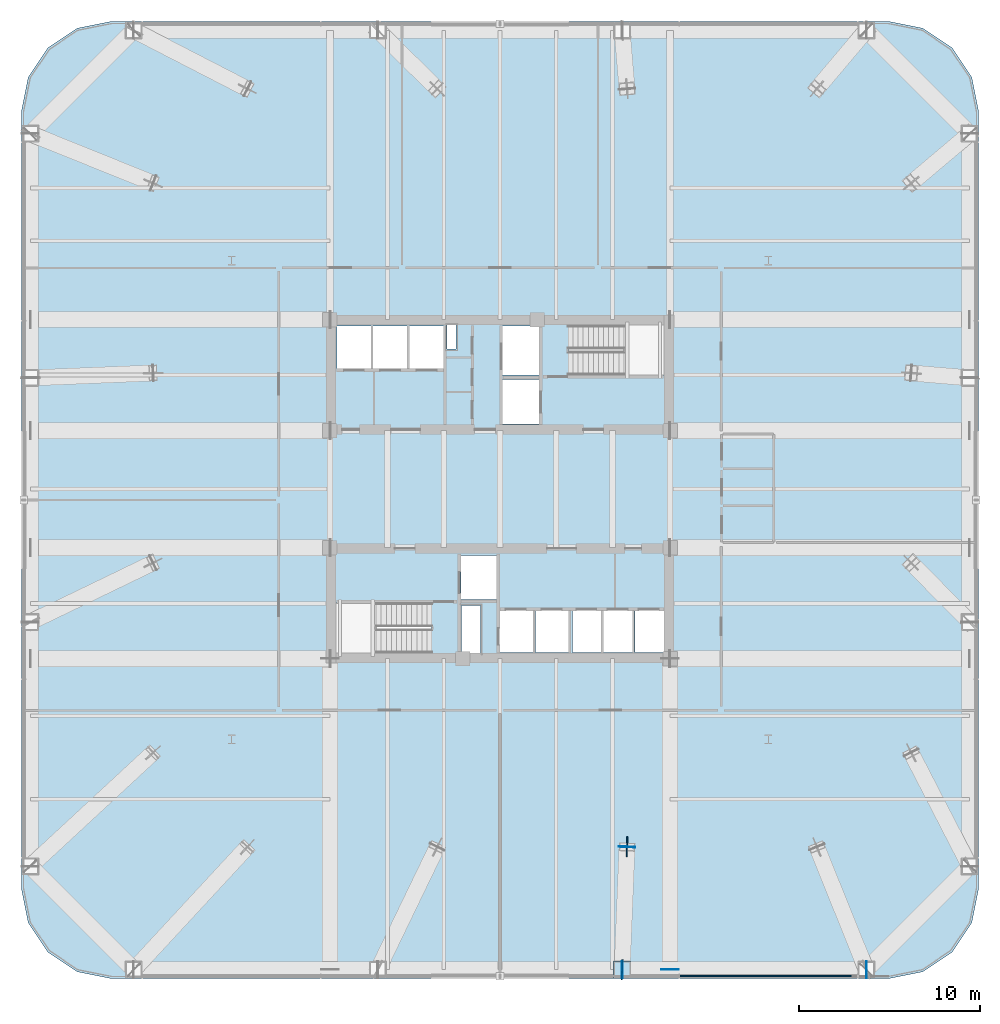
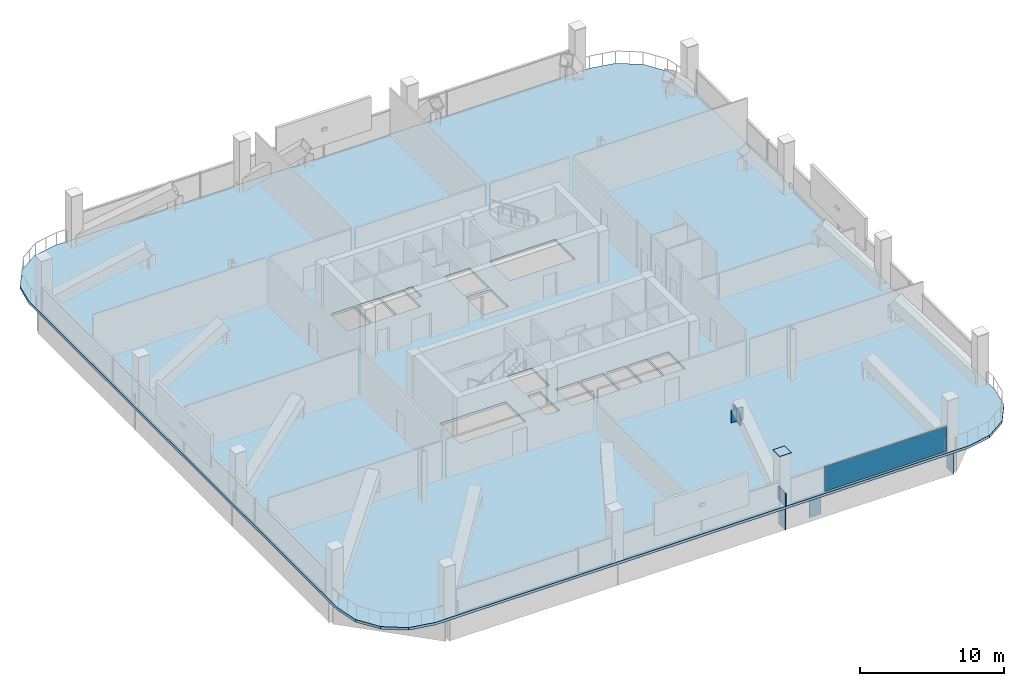
# One storey, part 27 of 38: 9 plates, 1 slab, 1 element without a shape of its own.
"""IFC4 building model written with IfcOpenShell, lengths in metres."""

from ifc_helpers import new_model, si_unit, direction, frame, origin, origin_2d, place, context, subcontext, project, spatial, polyline, rectangle, outline, extrude, material, layer, layer_set, type_object, element, aggregate, save


model = new_model("IFC4")

# Units and contexts
model_context = context("Model", 3, precision=1e-05, world=origin(), true_north=direction((0.0, 1.0)))
body_context = subcontext(model_context, "Body", "Model", "MODEL_VIEW")
ifc_project = project(units=[si_unit("LENGTHUNIT", "METRE"), si_unit("AREAUNIT", "SQUARE_METRE"), si_unit("VOLUMEUNIT", "CUBIC_METRE"), si_unit("PLANEANGLEUNIT", "RADIAN"), si_unit("MASSUNIT", "GRAM", prefix="KILO")], contexts=[model_context])

# Site, building, storey
site_placement = place(None, origin())
site = spatial("IfcSite", under=ifc_project, at=site_placement, CompositionType="ELEMENT")
building_placement = place(site_placement, origin())
building = spatial("IfcBuilding", under=site, at=building_placement, Name="Qhalaya Broadcast Tower", CompositionType="ELEMENT")
storey_placement = place(building_placement, frame((0.0, 0.0, 53.550048828125)))
storey = spatial("IfcBuildingStorey", under=building, at=storey_placement, Name="L15", CompositionType="ELEMENT", Elevation=53.550048828125)

# Plates
ifc_material_1 = material(Name="Structural Steel ASTM A572 Grade 50", Category="steel")
ifc_layer_1 = layer(ifc_material_1, 0.054931640625, Name="Structural Steel ASTM A572 Grade 50")
ifc_layer_set_1 = layer_set([ifc_layer_1], Name="Structural Steel ASTM A572 Grade 50")
plate_type_1 = type_object("IfcPlateType", Name="Exoskeleton Diamond Node Gusset Plate NP-01", PredefinedType="USERDEFINED", material=ifc_layer_set_1)
for number, where, z_axis, x_axis, name in (
    (1, (6.7333984375, -25.89990234375, 0.0), (0.0, 0.0, 1.0), (0.039852763258, 0.999205563065, 0.0), "L15 Strut Foot Gusset Plate 03"),
    (2, (7.00341796875, -19.1298828125, 2.7099609375), (0.0, 0.0, 1.0), (0.039852763258, 0.999205563065, 0.0), "L15 Strut Head Gusset Plate 03"),
):
    element("IfcPlate", number, at=place(storey_placement, frame(where, z_axis=z_axis, x_axis=x_axis)), inside=storey, type_object=plate_type_1, Name=name, ObjectType="GUSSET_PLATE", PredefinedType="USERDEFINED", context=body_context, shape_type="SweptSolid", body=[
        extrude(rectangle(XDim=1.10009765625, YDim=0.06005859375, at=origin_2d()), origin(), (0.0, 0.0, 1.0), 1.10009765625),
    ])
ifc_layer_2 = layer(ifc_material_1, 0.4599609375, Name="Structural Steel ASTM A572 Grade 50")
ifc_layer_set_2 = layer_set([ifc_layer_2], Name="Structural Steel ASTM A572 Grade 50")
plate_type_2 = type_object("IfcPlateType", Name="Hollow Box Member End Cap Plate CP-01", PredefinedType="USERDEFINED", material=ifc_layer_set_2)
for number, where, z_axis, x_axis, name in (
    (3, (6.749267578125, -25.89990234375, -2.0400390625), (0.0, 0.0, 1.0), (0.0, 1.0, 0.0), "L15 Hollow Girder End Cap L15-SPR-02-B"),
    (4, (6.71728515625, -25.89990234375, -2.0400390625), (0.0, 0.0, 1.0), (0.0, 1.0, 0.0), "L15 Hollow Girder End Cap L15-SPR-03-A"),
    (5, (20.216064453125, -25.89990234375, -2.0400390625), (0.0, 0.0, 1.0), (0.0, 1.0, 0.0), "L15 Hollow Girder End Cap L15-SPR-03-B"),
    (6, (9.375, -25.89599609375, -2.0400390625), (0.0, 0.0, 1.0), (-1.0, 0.0, 0.0), "L15 Hollow Girder End Cap L15-PGXS2-1-A"),
):
    element("IfcPlate", number, at=place(storey_placement, frame(where, z_axis=z_axis, x_axis=x_axis)), inside=storey, type_object=plate_type_2, Name=name, ObjectType="COVER_PLATE", PredefinedType="USERDEFINED", context=body_context, shape_type="SweptSolid", body=[
        extrude(rectangle(XDim=0.93994140625, YDim=0.031982421875, at=origin_2d()), origin(), (0.0, 0.0, 1.0), 1.840087890625),
    ])
plate_1_placement = place(storey_placement, frame((6.7333984375, -25.89990234375, 4.35009765625), z_axis=(0.0, 0.0, 1.0), x_axis=(1.0, 0.0, 0.0)))
element("IfcPlate", 7, at=plate_1_placement, inside=storey, type_object=plate_type_2, Name="L15 Hollow Box Column Top Cap Plate COL-EX03", ObjectType="COVER_PLATE", PredefinedType="USERDEFINED", context=body_context, shape_type="SweptSolid", body=[
    extrude(rectangle(XDim=0.93994140625, YDim=0.93994140625, at=origin_2d()), origin(), (0.0, 0.0, 1.0), 0.031982421875),
])

# Curtain wall, plate
ifc_material_2 = material(Name="Fired Architectural Terracotta", Category="masonry")
ifc_layer_3 = layer(ifc_material_2, 0.219970703125, Name="Fired Architectural Terracotta")
ifc_layer_set_3 = layer_set([ifc_layer_3], Name="Fired Architectural Terracotta")
curtain_wall_type = type_object("IfcCurtainWallType", Name="Block-Cap Unitised Terracotta Spandrel Wall CW-07", PredefinedType="NOTDEFINED", material=ifc_layer_set_3)
curtain_wall_placement = place(storey_placement, origin())
curtain_wall = element("IfcCurtainWall", 8, at=curtain_wall_placement, inside=storey, type_object=curtain_wall_type, Name="L15 Unitised Curtain Wall L15-CW-S", PredefinedType="NOTDEFINED")
ifc_layer_4 = layer(ifc_material_2, 0.080078125, Name="Fired Architectural Terracotta")
ifc_layer_set_4 = layer_set([ifc_layer_4], Name="Fired Architectural Terracotta")
plate_type_3 = type_object("IfcPlateType", Name="Insulated Terracotta Spandrel Panel TSP-07", PredefinedType="CURTAIN_PANEL", material=ifc_layer_set_4)
plate_2_placement = place(storey_placement, frame((14.802734375, -26.260009765625, 0.074951171875), z_axis=(0.0, 0.0, 1.0), x_axis=(-1.0, 0.0, 0.0)))
plate_2 = element("IfcPlate", 9, at=plate_2_placement, type_object=plate_type_3, Name="CW-07 panel 1.1", PredefinedType="CURTAIN_PANEL", context=body_context, shape_type="SweptSolid", body=[
    extrude(rectangle(XDim=9.7685546875, YDim=0.080078125, at=origin_2d()), origin(), (0.0, 0.0, 1.0), 2.10009765625),
])
aggregate(curtain_wall, [plate_2])

# Slab
ifc_material_3 = material(Name="Concrete C40/50", Category="concrete")
ifc_layer_5 = layer(ifc_material_3, 0.219970703125, Name="Concrete C40/50")
ifc_layer_set_5 = layer_set([ifc_layer_5], Name="Concrete C40/50")
slab_type = type_object("IfcSlabType", Name="Tower Composite Floor Slab 220", PredefinedType="FLOOR", material=ifc_layer_set_5)
slab_placement = place(storey_placement, frame((0.0, 0.0, -0.219970703125)))
element("IfcSlab", 10, at=slab_placement, inside=storey, type_object=slab_type, Name="L15 Main Structural Floor Slab", PredefinedType="FLOOR", context=body_context, shape_type="SweptSolid", body=[
    extrude(outline(polyline([(21.39990234375, -26.39990234375), (23.3134765625, -26.019287109375), (24.935546875, -24.935546875), (26.019287109375, -23.3134765625), (26.39990234375, -21.39990234375), (26.39990234375, 21.39990234375), (26.019287109375, 23.3134765625), (24.935546875, 24.935546875), (23.3134765625, 26.019287109375), (21.39990234375, 26.39990234375), (-21.39990234375, 26.39990234375), (-23.3134765625, 26.019287109375), (-24.935546875, 24.935546875), (-26.019287109375, 23.3134765625), (-26.39990234375, 21.39990234375), (-26.39990234375, -21.39990234375), (-26.019287109375, -23.3134765625), (-24.935546875, -24.935546875), (-23.3134765625, -26.019287109375), (-21.39990234375, -26.39990234375), (21.39990234375, -26.39990234375)]), holes=[polyline([(3.784912109375, 9.639892578125), (9.050048828125, 9.639892578125), (9.050048828125, 6.8798828125), (3.784912109375, 6.8798828125), (3.784912109375, 9.639892578125)]), polyline([(-3.784912109375, -8.43994140625), (-9.050048828125, -8.43994140625), (-9.050048828125, -5.679931640625), (-3.784912109375, -5.679931640625), (-3.784912109375, -8.43994140625)]), polyline([(0.14990234375, 6.64990234375), (2.14990234375, 6.64990234375), (2.14990234375, 4.199951171875), (0.14990234375, 4.199951171875), (0.14990234375, 6.64990234375)]), polyline([(0.14990234375, 9.60009765625), (2.14990234375, 9.60009765625), (2.14990234375, 6.89990234375), (0.14990234375, 6.89990234375), (0.14990234375, 9.60009765625)]), polyline([(-2.14990234375, -3.050048828125), (-0.14990234375, -3.050048828125), (-0.14990234375, -5.5), (-2.14990234375, -5.5), (-2.14990234375, -3.050048828125)]), polyline([(-9.0, 9.60009765625), (-7.1201171875, 9.60009765625), (-7.1201171875, 7.25), (-9.0, 7.25), (-9.0, 9.60009765625)]), polyline([(-7.0, 9.60009765625), (-5.1201171875, 9.60009765625), (-5.1201171875, 7.25), (-7.0, 7.25), (-7.0, 9.60009765625)]), polyline([(-5.0, 9.60009765625), (-3.1201171875, 9.60009765625), (-3.1201171875, 7.25), (-5.0, 7.25), (-5.0, 9.60009765625)]), polyline([(-0.050048828125, -6.10009765625), (1.830078125, -6.10009765625), (1.830078125, -8.39990234375), (-0.050048828125, -8.39990234375), (-0.050048828125, -6.10009765625)]), polyline([(1.949951171875, -6.10009765625), (3.830078125, -6.10009765625), (3.830078125, -8.39990234375), (1.949951171875, -8.39990234375), (1.949951171875, -6.10009765625)]), polyline([(4.0, -6.10009765625), (5.60009765625, -6.10009765625), (5.60009765625, -8.39990234375), (4.0, -8.39990234375), (4.0, -6.10009765625)]), polyline([(5.719970703125, -6.10009765625), (7.320068359375, -6.10009765625), (7.320068359375, -8.39990234375), (5.719970703125, -8.39990234375), (5.719970703125, -6.10009765625)]), polyline([(7.43994140625, -6.10009765625), (9.0400390625, -6.10009765625), (9.0400390625, -8.39990234375), (7.43994140625, -8.39990234375), (7.43994140625, -6.10009765625)]), polyline([(-2.919921875, 9.659912109375), (-2.419921875, 9.659912109375), (-2.419921875, 8.320068359375), (-2.919921875, 8.320068359375), (-2.919921875, 9.659912109375)]), polyline([(-2.1201171875, -5.820068359375), (-1.080078125, -5.820068359375), (-1.080078125, -8.4599609375), (-2.1201171875, -8.4599609375), (-2.1201171875, -5.820068359375)])]), origin(), (0.0, 0.0, 1.0), 0.219970703125),
])

# Plate
ifc_layer_6 = layer(ifc_material_1, 0.044921875, Name="Structural Steel ASTM A572 Grade 50")
ifc_layer_set_6 = layer_set([ifc_layer_6], Name="Structural Steel ASTM A572 Grade 50")
plate_type_4 = type_object("IfcPlateType", Name="Transfer Girder Web Stiffener Plate WS-01", PredefinedType="USERDEFINED", material=ifc_layer_set_6)
plate_3_placement = place(storey_placement, frame((7.00341796875, -19.1298828125, 2.73486328125), z_axis=(0.0, 0.0, 1.0), x_axis=(-0.999205563065, 0.039852763258, 0.0)))
element("IfcPlate", 11, at=plate_3_placement, inside=storey, type_object=plate_type_4, Name="L15 Strut Head Cross Diaphragm Plate 03", ObjectType="STIFFENER_PLATE", PredefinedType="USERDEFINED", context=body_context, shape_type="SweptSolid", body=[
    extrude(rectangle(XDim=0.89990234375, YDim=0.044921875, at=origin_2d()), origin(), (0.0, 0.0, 1.0), 1.050048828125),
])

save(model, "model.ifc")
